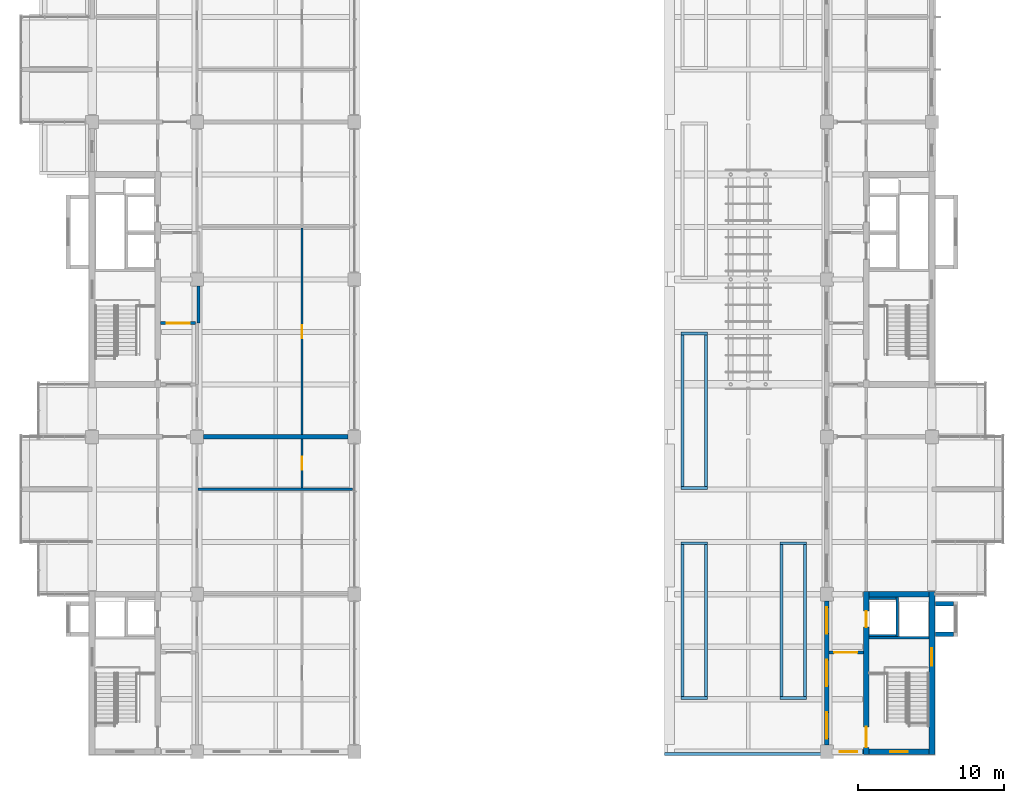
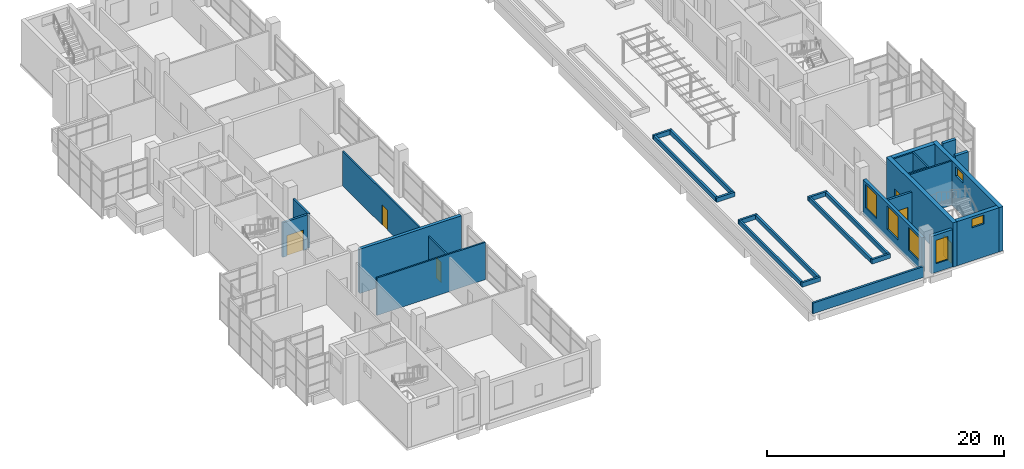
# One storey, part 23 of 32: 32 walls, 6 doors, 6 windows, 12 openings.
"""IFC4 building model written with IfcOpenShell, lengths in metres."""

from ifc_helpers import new_model, si_unit, direction, frame, frame_2d, origin, place, context, subcontext, project, spatial, rectangle, extrude, material, layer, layer_set, type_object, element, fill, save


model = new_model("IFC4")

# Units and contexts
model_context = context("Model", 3, precision=1e-05, world=origin(), true_north=direction((0.0, 1.0)))
body_context = subcontext(model_context, "Body", "Model", "MODEL_VIEW")
ifc_project = project(units=[si_unit("LENGTHUNIT", "METRE"), si_unit("AREAUNIT", "SQUARE_METRE"), si_unit("VOLUMEUNIT", "CUBIC_METRE"), si_unit("PLANEANGLEUNIT", "RADIAN"), si_unit("MASSUNIT", "GRAM", prefix="KILO")], contexts=[model_context])

# Site, building, storey
site_placement = place(None, origin())
site = spatial("IfcSite", under=ifc_project, at=site_placement, CompositionType="ELEMENT")
building_placement = place(site_placement, origin())
building = spatial("IfcBuilding", under=site, at=building_placement, Name="Basin Gate Institute", CompositionType="ELEMENT")
storey_placement = place(building_placement, frame((0.0, 0.0, 41.39990234375)))
storey = spatial("IfcBuildingStorey", under=building, at=storey_placement, Name="L08", CompositionType="ELEMENT", Elevation=41.39990234375)

# Wall, opening, door
ifc_material_1 = material(Name="Fire-rated masonry", Category="masonry")
ifc_layer_1 = layer(ifc_material_1, 0.199951171875)
ifc_layer_set_1 = layer_set([ifc_layer_1], Name="Enclosure wall PW2 200 EI 60")
wall_type_1 = type_object("IfcWallType", Name="Enclosure wall PW2 200 EI 60", PredefinedType="PARTITIONING", material=ifc_layer_set_1)
wall_1_placement = place(storey_placement, frame((65.89990234375, 64.5, 0.0), z_axis=(0.0, 0.0, 1.0), x_axis=(1.0, 0.0, 0.0)))
wall_1 = element("IfcWall", 1, at=wall_1_placement, inside=storey, type_object=wall_type_1, material=ifc_layer_set_1, Name="Smoke lobby enclosure wall PW2 L08", PredefinedType="PARTITIONING", context=body_context, shape_type="SweptSolid", body=[
    extrude(rectangle(XDim=2.400146484375, YDim=0.199951171875, at=frame_2d((1.2001953125, 0.0))), origin(), (0.0, 0.0, 1.0), 3.550048828125),
])
opening_1_placement = place(wall_1_placement, frame((0.39990234375, 0.0, 0.0)))
opening_1 = element("IfcOpeningElement", 2, at=opening_1_placement, cuts=wall_1, Name="Opening DR405", PredefinedType="OPENING", context=body_context, shape_type="SweptSolid", body=[
    extrude(rectangle(XDim=1.60009765625, YDim=2.10009765625, at=frame_2d((0.800048828125, 1.050048828125))), frame((0.0, 0.10986328125, 0.0), z_axis=(0.0, -1.0, 0.0), x_axis=(1.0, 0.0, 0.0)), (0.0, 0.0, 1.0), 0.219970703125),
])
ifc_material_2 = material(Name="Steel fire door", Category="steel")
door_type_1 = type_object("IfcDoorType", Name="FD60 Smoke lobby door pair D8", OperationType="DOUBLE_DOOR_SINGLE_SWING", PredefinedType="DOOR", material=ifc_material_2)
door_1_placement = place(opening_1_placement, frame((1.60009765625, 0.0, 0.0), z_axis=(0.0, 0.0, 1.0), x_axis=(-1.0, 0.0, 0.0)))
door_1 = element("IfcDoor", 3, at=door_1_placement, inside=storey, type_object=door_type_1, material=ifc_material_2, Name="Smoke lobby door SS2 L08", OperationType="DOUBLE_DOOR_SINGLE_SWING", OverallHeight=2.10009765625, OverallWidth=1.60009765625, PredefinedType="DOOR", context=body_context, shape_type="SweptSolid", body=[
    extrude(rectangle(XDim=1.60009765625, YDim=2.10009765625, at=frame_2d((0.800048828125, 1.050048828125))), frame((0.0, 0.02490234375, 0.0), z_axis=(0.0, -1.0, 0.0), x_axis=(1.0, 0.0, 0.0)), (0.0, 0.0, 1.0), 0.050048828125),
])
fill(opening_1, door_1)

# Wall
wall_2_placement = place(storey_placement, frame((68.5, 64.5, 0.0), z_axis=(0.0, 0.0, 1.0), x_axis=(0.0, 1.0, 0.0)))
element("IfcWall", 4, at=wall_2_placement, inside=storey, type_object=wall_type_1, material=ifc_layer_set_1, Name="Emergency lift lobby wall PW2 L08", PredefinedType="PARTITIONING", context=body_context, shape_type="SweptSolid", body=[
    extrude(rectangle(XDim=2.550048828125, YDim=0.199951171875, at=frame_2d((1.27490234375, 0.0))), origin(), (0.0, 0.0, 1.0), 3.550048828125),
])

# Wall, opening, door
wall_3_placement = place(storey_placement, frame((114.10009765625, 41.89990234375, 0.0), z_axis=(0.0, 0.0, 1.0), x_axis=(-1.0, 0.0, 0.0)))
wall_3 = element("IfcWall", 5, at=wall_3_placement, inside=storey, type_object=wall_type_1, material=ifc_layer_set_1, Name="Smoke lobby enclosure wall PW2 L08", PredefinedType="PARTITIONING", context=body_context, shape_type="SweptSolid", body=[
    extrude(rectangle(XDim=2.35009765625, YDim=0.199951171875, at=frame_2d((1.175048828125, 0.0))), origin(), (0.0, 0.0, 1.0), 3.550048828125),
])
opening_2_placement = place(wall_3_placement, frame((0.39990234375, 0.0, 0.0)))
opening_2 = element("IfcOpeningElement", 6, at=opening_2_placement, cuts=wall_3, Name="Opening DR375", PredefinedType="OPENING", context=body_context, shape_type="SweptSolid", body=[
    extrude(rectangle(XDim=1.60009765625, YDim=2.10009765625, at=frame_2d((0.800048828125, 1.050048828125))), frame((0.0, 0.10986328125, 0.0), z_axis=(0.0, -1.0, 0.0), x_axis=(1.0, 0.0, 0.0)), (0.0, 0.0, 1.0), 0.219970703125),
])
door_2_placement = place(opening_2_placement, origin())
door_2 = element("IfcDoor", 7, at=door_2_placement, inside=storey, type_object=door_type_1, material=ifc_material_2, Name="Smoke lobby door SS4 L08", OperationType="DOUBLE_DOOR_SINGLE_SWING", OverallHeight=2.10009765625, OverallWidth=1.60009765625, PredefinedType="DOOR", context=body_context, shape_type="SweptSolid", body=[
    extrude(rectangle(XDim=1.60009765625, YDim=2.10009765625, at=frame_2d((0.800048828125, 1.050048828125))), frame((0.0, 0.02490234375, 0.0), z_axis=(0.0, -1.0, 0.0), x_axis=(1.0, 0.0, 0.0)), (0.0, 0.0, 1.0), 0.050048828125),
])
fill(opening_2, door_2)

# Wall, opening, window
ifc_material_3 = material(Name="Aluminium-faced insulated panel wall", Category="aluminium")
ifc_layer_2 = layer(ifc_material_3, 0.300048828125)
ifc_layer_set_2 = layer_set([ifc_layer_2], Name="External wall EW1 EI 120")
wall_type_2 = type_object("IfcWallType", Name="External wall EW1 EI 120", PredefinedType="STANDARD", material=ifc_layer_set_2)
wall_4_placement = place(storey_placement, frame((114.10009765625, 35.10009765625, 0.0), z_axis=(0.0, 0.0, 1.0), x_axis=(-1.0, 0.0, 0.0)))
wall_4 = element("IfcWall", 8, at=wall_4_placement, inside=storey, type_object=wall_type_2, material=ifc_layer_set_2, Name="External end wall E wing south L08 1", PredefinedType="STANDARD", context=body_context, shape_type="SweptSolid", body=[
    extrude(rectangle(XDim=2.050048828125, YDim=0.300048828125, at=frame_2d((1.02490234375, 0.0))), origin(), (0.0, 0.0, 1.0), 3.85009765625),
])
opening_3_placement = place(wall_4_placement, frame((0.425048828125, 0.0, 0.89990234375)))
opening_3 = element("IfcOpeningElement", 9, at=opening_3_placement, cuts=wall_4, Name="Opening WN4", PredefinedType="OPENING", context=body_context, shape_type="SweptSolid", body=[
    extrude(rectangle(XDim=1.199951171875, YDim=2.39990234375, at=frame_2d((0.60009765625, 1.199951171875))), frame((0.0, 0.16015625, 0.0), z_axis=(0.0, -1.0, 0.0), x_axis=(1.0, 0.0, 0.0)), (0.0, 0.0, 1.0), 0.320068359375),
])
ifc_material_4 = material(Name="Aluminium-framed double glazing", Category="aluminium")
window_type_1 = type_object("IfcWindowType", Name="Corridor end window WN4", PartitioningType="SINGLE_PANEL", PredefinedType="WINDOW", material=ifc_material_4)
window_1_placement = place(opening_3_placement, origin())
window_1 = element("IfcWindow", 10, at=window_1_placement, inside=storey, type_object=window_type_1, material=ifc_material_4, Name="Corridor end window E wing S L08", OverallHeight=2.39990234375, OverallWidth=1.199951171875, PartitioningType="SINGLE_PANEL", PredefinedType="WINDOW", context=body_context, shape_type="SweptSolid", body=[
    extrude(rectangle(XDim=1.199951171875, YDim=2.39990234375, at=frame_2d((0.60009765625, 1.199951171875))), frame((0.0, 0.030029296875, 0.0), z_axis=(0.0, -1.0, 0.0), x_axis=(1.0, 0.0, 0.0)), (0.0, 0.0, 1.0), 0.06005859375),
])
fill(opening_3, window_1)

# Wall, openings, windows
ifc_material_5 = material(Name="Aluminium-faced insulated panel wall", Category="aluminium")
ifc_layer_3 = layer(ifc_material_5, 0.300048828125)
ifc_layer_set_3 = layer_set([ifc_layer_3], Name="External wall EW5 EI 60")
wall_type_3 = type_object("IfcWallType", Name="External wall EW5 EI 60", PredefinedType="STANDARD", material=ifc_layer_set_3)
wall_5_placement = place(storey_placement, frame((111.60009765625, 35.550048828125, 0.0), z_axis=(0.0, 0.0, 1.0), x_axis=(0.0, 1.0, 0.0)))
wall_5 = element("IfcWall", 11, at=wall_5_placement, inside=storey, type_object=wall_type_3, material=ifc_layer_set_3, Name="External wall E step face L08 bay 1", PredefinedType="STANDARD", context=body_context, shape_type="SweptSolid", body=[
    extrude(rectangle(XDim=9.89990234375, YDim=0.300048828125, at=frame_2d((4.949951171875, 0.0))), origin(), (0.0, 0.0, 1.0), 3.550048828125),
])
opening_4_placement = place(wall_5_placement, frame((0.449951171875, 0.0, 0.89990234375)))
opening_4 = element("IfcOpeningElement", 12, at=opening_4_placement, cuts=wall_5, Name="Opening WN6", PredefinedType="OPENING", context=body_context, shape_type="SweptSolid", body=[
    extrude(rectangle(XDim=1.800048828125, YDim=2.39990234375, at=frame_2d((0.89990234375, 1.199951171875))), frame((0.0, 0.16015625, 0.0), z_axis=(0.0, -1.0, 0.0), x_axis=(1.0, 0.0, 0.0)), (0.0, 0.0, 1.0), 0.320068359375),
])
opening_5_placement = place(wall_5_placement, frame((4.050048828125, 0.0, 0.89990234375)))
opening_5 = element("IfcOpeningElement", 13, at=opening_5_placement, cuts=wall_5, Name="Opening WN6", PredefinedType="OPENING", context=body_context, shape_type="SweptSolid", body=[
    extrude(rectangle(XDim=1.800048828125, YDim=2.39990234375, at=frame_2d((0.89990234375, 1.199951171875))), frame((0.0, 0.16015625, 0.0), z_axis=(0.0, -1.0, 0.0), x_axis=(1.0, 0.0, 0.0)), (0.0, 0.0, 1.0), 0.320068359375),
])
opening_6_placement = place(wall_5_placement, frame((7.64990234375, 0.0, 0.89990234375)))
opening_6 = element("IfcOpeningElement", 14, at=opening_6_placement, cuts=wall_5, Name="Opening WN6", PredefinedType="OPENING", context=body_context, shape_type="SweptSolid", body=[
    extrude(rectangle(XDim=1.800048828125, YDim=2.39990234375, at=frame_2d((0.89990234375, 1.199951171875))), frame((0.0, 0.16015625, 0.0), z_axis=(0.0, -1.0, 0.0), x_axis=(1.0, 0.0, 0.0)), (0.0, 0.0, 1.0), 0.320068359375),
])
ifc_material_6 = material(Name="Fire-resistant glazing in steel-free frame", Category="steel")
window_type_2 = type_object("IfcWindowType", Name="Fire-rated fixed step window WN6", PartitioningType="SINGLE_PANEL", PredefinedType="WINDOW", material=ifc_material_6)
window_2_placement = place(opening_4_placement, origin())
window_2 = element("IfcWindow", 15, at=window_2_placement, inside=storey, type_object=window_type_2, material=ifc_material_6, Name="Fire-rated fixed step window E step face L08 bay 1.1", OverallHeight=2.39990234375, OverallWidth=1.800048828125, PartitioningType="SINGLE_PANEL", PredefinedType="WINDOW", context=body_context, shape_type="SweptSolid", body=[
    extrude(rectangle(XDim=1.800048828125, YDim=2.39990234375, at=frame_2d((0.89990234375, 1.199951171875))), frame((0.0, 0.030029296875, 0.0), z_axis=(0.0, -1.0, 0.0), x_axis=(1.0, 0.0, 0.0)), (0.0, 0.0, 1.0), 0.06005859375),
])
fill(opening_4, window_2)
window_3_placement = place(opening_5_placement, origin())
window_3 = element("IfcWindow", 16, at=window_3_placement, inside=storey, type_object=window_type_2, material=ifc_material_6, Name="Fire-rated fixed step window E step face L08 bay 1.2", OverallHeight=2.39990234375, OverallWidth=1.800048828125, PartitioningType="SINGLE_PANEL", PredefinedType="WINDOW", context=body_context, shape_type="SweptSolid", body=[
    extrude(rectangle(XDim=1.800048828125, YDim=2.39990234375, at=frame_2d((0.89990234375, 1.199951171875))), frame((0.0, 0.030029296875, 0.0), z_axis=(0.0, -1.0, 0.0), x_axis=(1.0, 0.0, 0.0)), (0.0, 0.0, 1.0), 0.06005859375),
])
fill(opening_5, window_3)
window_4_placement = place(opening_6_placement, origin())
window_4 = element("IfcWindow", 17, at=window_4_placement, inside=storey, type_object=window_type_2, material=ifc_material_6, Name="Fire-rated fixed step window E step face L08 bay 1.3", OverallHeight=2.39990234375, OverallWidth=1.800048828125, PartitioningType="SINGLE_PANEL", PredefinedType="WINDOW", context=body_context, shape_type="SweptSolid", body=[
    extrude(rectangle(XDim=1.800048828125, YDim=2.39990234375, at=frame_2d((0.89990234375, 1.199951171875))), frame((0.0, 0.030029296875, 0.0), z_axis=(0.0, -1.0, 0.0), x_axis=(1.0, 0.0, 0.0)), (0.0, 0.0, 1.0), 0.06005859375),
])
fill(opening_6, window_4)

# Wall
ifc_material_7 = material(Name="Concrete 40 MPa", Category="concrete")
ifc_layer_4 = layer(ifc_material_7, 0.199951171875)
ifc_layer_set_4 = layer_set([ifc_layer_4], Name="Concrete 40 MPa")
wall_type_4 = type_object("IfcWallType", Name="Parapet wall PA6", PredefinedType="PARAPET", material=ifc_layer_set_4)
wall_6_placement = place(storey_placement, frame((111.25, 34.949951171875, 0.0), z_axis=(0.0, 0.0, 1.0), x_axis=(-1.0, 0.0, 0.0)))
element("IfcWall", 18, at=wall_6_placement, inside=storey, type_object=wall_type_4, material=ifc_layer_set_4, Name="Parapet wall PA6 L08 E1", PredefinedType="PARAPET", context=body_context, shape_type="SweptSolid", body=[
    extrude(rectangle(XDim=10.800048828125, YDim=0.199951171875, at=frame_2d((5.39990234375, 0.0))), origin(), (0.0, 0.0, 1.0), 1.10009765625),
])

# Wall, opening, door
ifc_material_8 = material(Name="Gypsum board on steel stud", Category="steel")
ifc_layer_5 = layer(ifc_material_8, 0.14990234375)
ifc_layer_set_5 = layer_set([ifc_layer_5], Name="Gypsum board on steel stud")
wall_type_5 = type_object("IfcWallType", Name="Partition PW1 150 EI 60", PredefinedType="PARTITIONING", material=ifc_layer_set_5)
wall_7_placement = place(storey_placement, frame((75.60009765625, 53.175048828125, 0.0), z_axis=(0.0, 0.0, 1.0), x_axis=(0.0, 1.0, 0.0)))
wall_7 = element("IfcWall", 19, at=wall_7_placement, inside=storey, type_object=wall_type_5, material=ifc_layer_set_5, Name="Laboratory partition PW1 L08", PredefinedType="PARTITIONING", context=body_context, shape_type="SweptSolid", body=[
    extrude(rectangle(XDim=3.375, YDim=0.14990234375, at=frame_2d((1.6875, 0.0))), origin(), (0.0, 0.0, 1.0), 3.550048828125),
])
opening_7_placement = place(wall_7_placement, frame((1.27490234375, 0.0, 0.0)))
opening_7 = element("IfcOpeningElement", 20, at=opening_7_placement, cuts=wall_7, Name="Opening DR396", PredefinedType="OPENING", context=body_context, shape_type="SweptSolid", body=[
    extrude(rectangle(XDim=0.89990234375, YDim=2.10009765625, at=frame_2d((0.449951171875, 1.050048828125))), frame((0.0, 0.0849609375, 0.0), z_axis=(0.0, -1.0, 0.0), x_axis=(1.0, 0.0, 0.0)), (0.0, 0.0, 1.0), 0.169921875),
])
ifc_material_9 = material(Name="Steel fire door", Category="steel")
door_type_2 = type_object("IfcDoorType", Name="FD60 Riser door D10", OperationType="NOTDEFINED", PredefinedType="DOOR", material=ifc_material_9)
door_3_placement = place(opening_7_placement, frame((0.89990234375, 0.0, 0.0), z_axis=(0.0, 0.0, 1.0), x_axis=(-1.0, 0.0, 0.0)))
door_3 = element("IfcDoor", 21, at=door_3_placement, inside=storey, type_object=door_type_2, material=ifc_material_9, Name="Door to Riser Room 0819 L08", OperationType="SINGLE_SWING_LEFT", OverallHeight=2.10009765625, OverallWidth=0.89990234375, PredefinedType="DOOR", context=body_context, shape_type="SweptSolid", body=[
    extrude(rectangle(XDim=0.89990234375, YDim=2.10009765625, at=frame_2d((0.449951171875, 1.050048828125))), frame((0.0, 0.02490234375, 0.0), z_axis=(0.0, -1.0, 0.0), x_axis=(1.0, 0.0, 0.0)), (0.0, 0.0, 1.0), 0.050048828125),
])
fill(opening_7, door_3)

wall_8_placement = place(storey_placement, frame((75.60009765625, 56.85009765625, 0.0), z_axis=(0.0, 0.0, 1.0), x_axis=(0.0, 1.0, 0.0)))
wall_8 = element("IfcWall", 22, at=wall_8_placement, inside=storey, type_object=wall_type_5, material=ifc_layer_set_5, Name="Laboratory partition PW1 L08", PredefinedType="PARTITIONING", context=body_context, shape_type="SweptSolid", body=[
    extrude(rectangle(XDim=14.1748046875, YDim=0.14990234375, at=frame_2d((7.08740234375, 0.0))), origin(), (0.0, 0.0, 1.0), 3.550048828125),
])
opening_8_placement = place(wall_8_placement, frame((6.60009765625, 0.0, 0.0)))
opening_8 = element("IfcOpeningElement", 23, at=opening_8_placement, cuts=wall_8, Name="Opening DR397", PredefinedType="OPENING", context=body_context, shape_type="SweptSolid", body=[
    extrude(rectangle(XDim=0.89990234375, YDim=2.10009765625, at=frame_2d((0.449951171875, 1.050048828125))), frame((0.0, 0.0849609375, 0.0), z_axis=(0.0, -1.0, 0.0), x_axis=(1.0, 0.0, 0.0)), (0.0, 0.0, 1.0), 0.169921875),
])
door_4_placement = place(opening_8_placement, origin())
door_4 = element("IfcDoor", 24, at=door_4_placement, inside=storey, type_object=door_type_2, material=ifc_material_9, Name="Door to Riser Room 0821 L08", OperationType="SINGLE_SWING_LEFT", OverallHeight=2.10009765625, OverallWidth=0.89990234375, PredefinedType="DOOR", context=body_context, shape_type="SweptSolid", body=[
    extrude(rectangle(XDim=0.89990234375, YDim=2.10009765625, at=frame_2d((0.449951171875, 1.050048828125))), frame((0.0, 0.02490234375, 0.0), z_axis=(0.0, -1.0, 0.0), x_axis=(1.0, 0.0, 0.0)), (0.0, 0.0, 1.0), 0.050048828125),
])
fill(opening_8, door_4)

# Walls
wall_9_placement = place(storey_placement, frame((68.47509765625, 53.10009765625, 0.0), z_axis=(0.0, 0.0, 1.0), x_axis=(1.0, 0.0, 0.0)))
element("IfcWall", 25, at=wall_9_placement, inside=storey, type_object=wall_type_5, material=ifc_layer_set_5, Name="Laboratory partition PW1 L08", PredefinedType="PARTITIONING", context=body_context, shape_type="SweptSolid", body=[
    extrude(rectangle(XDim=10.574951171875, YDim=0.14990234375, at=frame_2d((5.28759765625, 0.0))), origin(), (0.0, 0.0, 1.0), 3.85009765625),
])
ifc_material_10 = material(Name="Concrete 40 MPa", Category="concrete")
ifc_layer_6 = layer(ifc_material_10, 0.199951171875)
ifc_layer_set_6 = layer_set([ifc_layer_6], Name="Concrete 40 MPa")
wall_type_6 = type_object("IfcWallType", Name="Planter wall PT1", PredefinedType="SOLIDWALL", material=ifc_layer_set_6)
for number, where, z_axis, x_axis, name in (
    (26, (101.60009765625, 38.800048828125, 0.0), (0.0, 0.0, 1.0), (1.0, 0.0, 0.0), "Planter wall PT1 E1"),
    (27, (101.60009765625, 49.39990234375, 0.0), (0.0, 0.0, 1.0), (1.0, 0.0, 0.0), "Planter wall PT1 E1"),
):
    element("IfcWall", number, at=place(storey_placement, frame(where, z_axis=z_axis, x_axis=x_axis)), inside=storey, type_object=wall_type_6, material=ifc_layer_set_6, Name=name, PredefinedType="SOLIDWALL", context=body_context, shape_type="SweptSolid", body=[
        extrude(rectangle(XDim=1.7998046875, YDim=0.199951171875, at=frame_2d((0.89990234375, 0.0))), origin(), (0.0, 0.0, 1.0), 0.4501953125),
    ])
for number, where, z_axis, x_axis, name in (
    (28, (101.699951171875, 38.89990234375, 0.0), (0.0, 0.0, 1.0), (0.0, 1.0, 0.0), "Planter wall PT1 E1"),
    (29, (103.300048828125, 38.89990234375, 0.0), (0.0, 0.0, 1.0), (0.0, 1.0, 0.0), "Planter wall PT1 E1"),
):
    element("IfcWall", number, at=place(storey_placement, frame(where, z_axis=z_axis, x_axis=x_axis)), inside=storey, type_object=wall_type_6, material=ifc_layer_set_6, Name=name, PredefinedType="SOLIDWALL", context=body_context, shape_type="SweptSolid", body=[
        extrude(rectangle(XDim=10.400146484375, YDim=0.199951171875, at=frame_2d((5.2001953125, 0.0))), origin(), (0.0, 0.0, 1.0), 0.4501953125),
    ])
for number, where, z_axis, x_axis, name in (
    (30, (101.60009765625, 53.199951171875, 0.0), (0.0, 0.0, 1.0), (1.0, 0.0, 0.0), "Planter wall PT1 E2"),
    (31, (101.60009765625, 63.800048828125, 0.0), (0.0, 0.0, 1.0), (1.0, 0.0, 0.0), "Planter wall PT1 E2"),
):
    element("IfcWall", number, at=place(storey_placement, frame(where, z_axis=z_axis, x_axis=x_axis)), inside=storey, type_object=wall_type_6, material=ifc_layer_set_6, Name=name, PredefinedType="SOLIDWALL", context=body_context, shape_type="SweptSolid", body=[
        extrude(rectangle(XDim=1.7998046875, YDim=0.199951171875, at=frame_2d((0.89990234375, 0.0))), origin(), (0.0, 0.0, 1.0), 0.4501953125),
    ])
for number, where, z_axis, x_axis, name in (
    (32, (101.699951171875, 53.300048828125, 0.0), (0.0, 0.0, 1.0), (0.0, 1.0, 0.0), "Planter wall PT1 E2"),
    (33, (103.300048828125, 53.300048828125, 0.0), (0.0, 0.0, 1.0), (0.0, 1.0, 0.0), "Planter wall PT1 E2"),
):
    element("IfcWall", number, at=place(storey_placement, frame(where, z_axis=z_axis, x_axis=x_axis)), inside=storey, type_object=wall_type_6, material=ifc_layer_set_6, Name=name, PredefinedType="SOLIDWALL", context=body_context, shape_type="SweptSolid", body=[
        extrude(rectangle(XDim=10.39990234375, YDim=0.199951171875, at=frame_2d((5.199951171875, 0.0))), origin(), (0.0, 0.0, 1.0), 0.4501953125),
    ])
for number, where, z_axis, x_axis, name in (
    (34, (108.39990234375, 38.800048828125, 0.0), (0.0, 0.0, 1.0), (1.0, 0.0, 0.0), "Planter wall PT1 E5"),
    (35, (108.39990234375, 49.39990234375, 0.0), (0.0, 0.0, 1.0), (1.0, 0.0, 0.0), "Planter wall PT1 E5"),
):
    element("IfcWall", number, at=place(storey_placement, frame(where, z_axis=z_axis, x_axis=x_axis)), inside=storey, type_object=wall_type_6, material=ifc_layer_set_6, Name=name, PredefinedType="SOLIDWALL", context=body_context, shape_type="SweptSolid", body=[
        extrude(rectangle(XDim=1.800048828125, YDim=0.199951171875, at=frame_2d((0.89990234375, 0.0))), origin(), (0.0, 0.0, 1.0), 0.4501953125),
    ])
for number, where, z_axis, x_axis, name in (
    (36, (108.5, 38.89990234375, 0.0), (0.0, 0.0, 1.0), (0.0, 1.0, 0.0), "Planter wall PT1 E5"),
    (37, (110.10009765625, 38.89990234375, 0.0), (0.0, 0.0, 1.0), (0.0, 1.0, 0.0), "Planter wall PT1 E5"),
):
    element("IfcWall", number, at=place(storey_placement, frame(where, z_axis=z_axis, x_axis=x_axis)), inside=storey, type_object=wall_type_6, material=ifc_layer_set_6, Name=name, PredefinedType="SOLIDWALL", context=body_context, shape_type="SweptSolid", body=[
        extrude(rectangle(XDim=10.400146484375, YDim=0.199951171875, at=frame_2d((5.2001953125, 0.0))), origin(), (0.0, 0.0, 1.0), 0.4501953125),
    ])
ifc_material_11 = material(Name="Concrete 40 MPa", Category="concrete")
ifc_layer_7 = layer(ifc_material_11, 0.14990234375)
ifc_layer_set_7 = layer_set([ifc_layer_7], Name="Concrete 40 MPa")
wall_type_7 = type_object("IfcWallType", Name="Wall LS1 lift shaft enclosure R120", PredefinedType="SOLIDWALL", material=ifc_layer_set_7)
wall_10_placement = place(storey_placement, frame((116.425048828125, 43.0, 0.0), z_axis=(0.0, 0.0, 1.0), x_axis=(0.0, 1.0, 0.0)))
element("IfcWall", 38, at=wall_10_placement, inside=storey, type_object=wall_type_7, material=ifc_layer_set_7, Name="Lift shaft enclosure LP4 L08 UL", PredefinedType="SOLIDWALL", context=body_context, shape_type="SweptSolid", body=[
    extrude(rectangle(XDim=2.699951171875, YDim=0.14990234375, at=frame_2d((1.35009765625, 0.0))), origin(), (0.0, 0.0, 1.0), 4.550048828125),
])
for number, where, z_axis, x_axis, name in (
    (39, (116.35009765625, 43.074951171875, 0.0), (0.0, 0.0, 1.0), (-1.0, 0.0, 0.0), "Lift shaft enclosure LP4 L08 RL"),
    (40, (116.35009765625, 45.625, 0.0), (0.0, 0.0, 1.0), (-1.0, 0.0, 0.0), "Lift shaft enclosure LP4 L08 RH"),
):
    element("IfcWall", number, at=place(storey_placement, frame(where, z_axis=z_axis, x_axis=x_axis)), inside=storey, type_object=wall_type_7, material=ifc_layer_set_7, Name=name, PredefinedType="SOLIDWALL", context=body_context, shape_type="SweptSolid", body=[
        extrude(rectangle(XDim=1.85009765625, YDim=0.14990234375, at=frame_2d((0.925048828125, 0.0))), origin(), (0.0, 0.0, 1.0), 4.550048828125),
    ])
ifc_material_12 = material(Name="Concrete 40 MPa", Category="concrete")
ifc_layer_8 = layer(ifc_material_12, 0.14990234375)
ifc_layer_set_8 = layer_set([ifc_layer_8], Name="Concrete 40 MPa")
wall_type_8 = type_object("IfcWallType", Name="Wall SE1 stair enclosure R120", PredefinedType="SOLIDWALL", material=ifc_layer_set_8)
wall_11_placement = place(storey_placement, frame((118.60009765625, 42.925048828125, 0.0), z_axis=(0.0, 0.0, 1.0), x_axis=(-1.0, 0.0, 0.0)))
element("IfcWall", 41, at=wall_11_placement, inside=storey, type_object=wall_type_8, material=ifc_layer_set_8, Name="Stair enclosure wall ST-ES L08", PredefinedType="SOLIDWALL", context=body_context, shape_type="SweptSolid", body=[
    extrude(rectangle(XDim=4.10009765625, YDim=0.14990234375, at=frame_2d((2.050048828125, 0.0))), origin(), (0.0, 0.0, 1.0), 4.550048828125),
])
ifc_material_13 = material(Name="Concrete 50 MPa", Category="concrete")
ifc_layer_9 = layer(ifc_material_13, 0.300048828125)
ifc_layer_set_9 = layer_set([ifc_layer_9], Name="Concrete 50 MPa")
wall_type_9 = type_object("IfcWallType", Name="Wall SK1 R120", PredefinedType="SHEAR", material=ifc_layer_set_9)
for number, where, z_axis, x_axis, name in (
    (42, (119.050048828125, 43.14990234375, 0.0), (0.0, 0.0, 1.0), (1.0, 0.0, 0.0), "Spine riser stack wall SK1 ES A L08"),
    (43, (119.050048828125, 45.25, 0.0), (0.0, 0.0, 1.0), (1.0, 0.0, 0.0), "Spine riser stack wall SK1 ES B L08"),
):
    element("IfcWall", number, at=place(storey_placement, frame(where, z_axis=z_axis, x_axis=x_axis)), inside=storey, type_object=wall_type_9, material=ifc_layer_set_9, Name=name, PredefinedType="SHEAR", context=body_context, shape_type="SweptSolid", body=[
        extrude(rectangle(XDim=1.25, YDim=0.300048828125, at=frame_2d((0.625, 0.0))), origin(), (0.0, 0.0, 1.0), 4.800048828125),
    ])

# Wall, opening, window
ifc_material_14 = material(Name="Concrete 50 MPa", Category="concrete")
ifc_layer_10 = layer(ifc_material_14, 0.39990234375)
ifc_layer_set_10 = layer_set([ifc_layer_10], Name="Concrete 50 MPa")
wall_type_10 = type_object("IfcWallType", Name="Wall SW2 R120", PredefinedType="SHEAR", material=ifc_layer_set_10)
wall_12_placement = place(storey_placement, frame((118.800048828125, 34.89990234375, 0.0), z_axis=(0.0, 0.0, 1.0), x_axis=(0.0, 1.0, 0.0)))
wall_12 = element("IfcWall", 44, at=wall_12_placement, inside=storey, type_object=wall_type_10, material=ifc_layer_set_10, Name="WALL/L08/ES/L", PredefinedType="SHEAR", context=body_context, shape_type="SweptSolid", body=[
    extrude(rectangle(XDim=11.2001953125, YDim=0.39990234375, at=frame_2d((5.60009765625, 0.0))), origin(), (0.0, 0.0, 1.0), 4.550048828125),
])
opening_9_placement = place(wall_12_placement, frame((6.110107421875, 0.0, 3.39990234375)))
opening_9 = element("IfcOpeningElement", 45, at=opening_9_placement, cuts=wall_12, Name="Opening WT2", PredefinedType="OPENING", context=body_context, shape_type="SweptSolid", body=[
    extrude(rectangle(XDim=1.199951171875, YDim=0.89990234375, at=frame_2d((0.60009765625, 0.449951171875))), frame((0.0, 0.2099609375, 0.0), z_axis=(0.0, -1.0, 0.0), x_axis=(1.0, 0.0, 0.0)), (0.0, 0.0, 1.0), 0.419921875),
])
ifc_material_15 = material(Name="Fire-resistant glazing in steel-free frame", Category="steel")
window_type_3 = type_object("IfcWindowType", Name="Rated stair window EI 120 WT2", PartitioningType="SINGLE_PANEL", PredefinedType="WINDOW", material=ifc_material_15)
window_5_placement = place(opening_9_placement, origin())
window_5 = element("IfcWindow", 46, at=window_5_placement, inside=storey, type_object=window_type_3, material=ifc_material_15, Name="Rated stair window EI 120 ES landing L08", OverallHeight=0.89990234375, OverallWidth=1.199951171875, PartitioningType="SINGLE_PANEL", PredefinedType="WINDOW", context=body_context, shape_type="SweptSolid", body=[
    extrude(rectangle(XDim=1.199951171875, YDim=0.89990234375, at=frame_2d((0.60009765625, 0.449951171875))), frame((0.0, 0.030029296875, 0.0), z_axis=(0.0, -1.0, 0.0), x_axis=(1.0, 0.0, 0.0)), (0.0, 0.0, 1.0), 0.06005859375),
])
fill(opening_9, window_5)

# Wall, openings, doors
wall_13_placement = place(storey_placement, frame((114.300048828125, 34.89990234375, 0.0), z_axis=(0.0, 0.0, 1.0), x_axis=(0.0, 1.0, 0.0)))
wall_13 = element("IfcWall", 47, at=wall_13_placement, inside=storey, type_object=wall_type_10, material=ifc_layer_set_10, Name="WALL/L08/ES/C", PredefinedType="SHEAR", context=body_context, shape_type="SweptSolid", body=[
    extrude(rectangle(XDim=11.2001953125, YDim=0.39990234375, at=frame_2d((5.60009765625, 0.0))), origin(), (0.0, 0.0, 1.0), 4.550048828125),
])
opening_10_placement = place(wall_13_placement, frame((0.5, 0.0, 0.0)))
opening_10 = element("IfcOpeningElement", 48, at=opening_10_placement, cuts=wall_13, Name="Opening DS052", PredefinedType="OPENING", context=body_context, shape_type="SweptSolid", body=[
    extrude(rectangle(XDim=1.39990234375, YDim=2.10009765625, at=frame_2d((0.699951171875, 1.050048828125))), frame((0.0, 0.2099609375, 0.0), z_axis=(0.0, -1.0, 0.0), x_axis=(1.0, 0.0, 0.0)), (0.0, 0.0, 1.0), 0.419921875),
])
opening_11_placement = place(wall_13_placement, frame((8.75, 0.0, 0.0)))
opening_11 = element("IfcOpeningElement", 49, at=opening_11_placement, cuts=wall_13, Name="Opening LD080", PredefinedType="OPENING", context=body_context, shape_type="SweptSolid", body=[
    extrude(rectangle(XDim=1.10009765625, YDim=2.10009765625, at=frame_2d((0.550048828125, 1.050048828125))), frame((0.0, 0.2099609375, 0.0), z_axis=(0.0, -1.0, 0.0), x_axis=(1.0, 0.0, 0.0)), (0.0, 0.0, 1.0), 0.419921875),
])
ifc_material_16 = material(Name="Steel fire door", Category="steel")
door_type_3 = type_object("IfcDoorType", Name="FD30 Stair enclosure door DS", OperationType="DOUBLE_DOOR_SINGLE_SWING", PredefinedType="DOOR", material=ifc_material_16)
door_5_placement = place(opening_10_placement, frame((1.39990234375, 0.0, 0.0), z_axis=(0.0, 0.0, 1.0), x_axis=(-1.0, 0.0, 0.0)))
door_5 = element("IfcDoor", 50, at=door_5_placement, inside=storey, type_object=door_type_3, material=ifc_material_16, Name="Stair enclosure door ST-ES L08", OperationType="DOUBLE_DOOR_SINGLE_SWING", OverallHeight=2.10009765625, OverallWidth=1.39990234375, PredefinedType="DOOR", context=body_context, shape_type="SweptSolid", body=[
    extrude(rectangle(XDim=1.39990234375, YDim=2.10009765625, at=frame_2d((0.699951171875, 1.050048828125))), frame((0.0, 0.02490234375, 0.0), z_axis=(0.0, -1.0, 0.0), x_axis=(1.0, 0.0, 0.0)), (0.0, 0.0, 1.0), 0.050048828125),
])
fill(opening_10, door_5)
ifc_material_17 = material(Name="Stainless steel", Category="steel")
door_type_4 = type_object("IfcDoorType", Name="FD60 Lift landing door LD", OperationType="SLIDING_TO_LEFT", PredefinedType="DOOR", material=ifc_material_17)
door_6_placement = place(opening_11_placement, origin())
door_6 = element("IfcDoor", 51, at=door_6_placement, inside=storey, type_object=door_type_4, material=ifc_material_17, Name="Lift landing door LP4 L08", OperationType="SLIDING_TO_LEFT", OverallHeight=2.10009765625, OverallWidth=1.10009765625, PredefinedType="DOOR", context=body_context, shape_type="SweptSolid", body=[
    extrude(rectangle(XDim=1.10009765625, YDim=2.10009765625, at=frame_2d((0.550048828125, 1.050048828125))), frame((0.0, 0.02490234375, 0.0), z_axis=(0.0, -1.0, 0.0), x_axis=(1.0, 0.0, 0.0)), (0.0, 0.0, 1.0), 0.050048828125),
])
fill(opening_11, door_6)

# Wall, opening, window
wall_14_placement = place(storey_placement, frame((118.60009765625, 35.10009765625, 0.0), z_axis=(0.0, 0.0, 1.0), x_axis=(-1.0, 0.0, 0.0)))
wall_14 = element("IfcWall", 52, at=wall_14_placement, inside=storey, type_object=wall_type_10, material=ifc_layer_set_10, Name="WALL/L08/ES/S", PredefinedType="SHEAR", context=body_context, shape_type="SweptSolid", body=[
    extrude(rectangle(XDim=4.10009765625, YDim=0.39990234375, at=frame_2d((2.050048828125, 0.0))), origin(), (0.0, 0.0, 1.0), 4.550048828125),
])
opening_12_placement = place(wall_14_placement, frame((1.449951171875, 0.0, 3.39990234375)))
opening_12 = element("IfcOpeningElement", 53, at=opening_12_placement, cuts=wall_14, Name="Opening WT2", PredefinedType="OPENING", context=body_context, shape_type="SweptSolid", body=[
    extrude(rectangle(XDim=1.199951171875, YDim=0.89990234375, at=frame_2d((0.60009765625, 0.449951171875))), frame((0.0, 0.2099609375, 0.0), z_axis=(0.0, -1.0, 0.0), x_axis=(1.0, 0.0, 0.0)), (0.0, 0.0, 1.0), 0.419921875),
])
window_6_placement = place(opening_12_placement, origin())
window_6 = element("IfcWindow", 54, at=window_6_placement, inside=storey, type_object=window_type_3, material=ifc_material_15, Name="Rated stair window EI 120 ES end L08", OverallHeight=0.89990234375, OverallWidth=1.199951171875, PartitioningType="SINGLE_PANEL", PredefinedType="WINDOW", context=body_context, shape_type="SweptSolid", body=[
    extrude(rectangle(XDim=1.199951171875, YDim=0.89990234375, at=frame_2d((0.60009765625, 0.449951171875))), frame((0.0, 0.030029296875, 0.0), z_axis=(0.0, -1.0, 0.0), x_axis=(1.0, 0.0, 0.0)), (0.0, 0.0, 1.0), 0.06005859375),
])
fill(opening_12, window_6)

# Walls
wall_15_placement = place(storey_placement, frame((118.60009765625, 45.89990234375, 0.0), z_axis=(0.0, 0.0, 1.0), x_axis=(-1.0, 0.0, 0.0)))
element("IfcWall", 55, at=wall_15_placement, inside=storey, type_object=wall_type_10, material=ifc_layer_set_10, Name="WALL/L08/ES/N", PredefinedType="SHEAR", context=body_context, shape_type="SweptSolid", body=[
    extrude(rectangle(XDim=4.10009765625, YDim=0.39990234375, at=frame_2d((2.050048828125, 0.0))), origin(), (0.0, 0.0, 1.0), 4.550048828125),
])
ifc_material_18 = material(Name="Concrete 50 MPa", Category="concrete")
ifc_layer_11 = layer(ifc_material_18, 0.300048828125)
ifc_layer_set_11 = layer_set([ifc_layer_11], Name="Concrete 50 MPa")
wall_type_11 = type_object("IfcWallType", Name="Wall XW1 R120", PredefinedType="SHEAR", material=ifc_layer_set_11)
wall_16_placement = place(storey_placement, frame((68.85009765625, 56.699951171875, 0.0), z_axis=(0.0, 0.0, 1.0), x_axis=(1.0, 0.0, 0.0)))
element("IfcWall", 56, at=wall_16_placement, inside=storey, type_object=wall_type_11, material=ifc_layer_set_11, Name="WALL/L08/WXC/2", PredefinedType="SHEAR", context=body_context, shape_type="SweptSolid", body=[
    extrude(rectangle(XDim=9.89990234375, YDim=0.300048828125, at=frame_2d((4.949951171875, 0.0))), origin(), (0.0, 0.0, 1.0), 4.550048828125),
])

save(model, "model.ifc")
